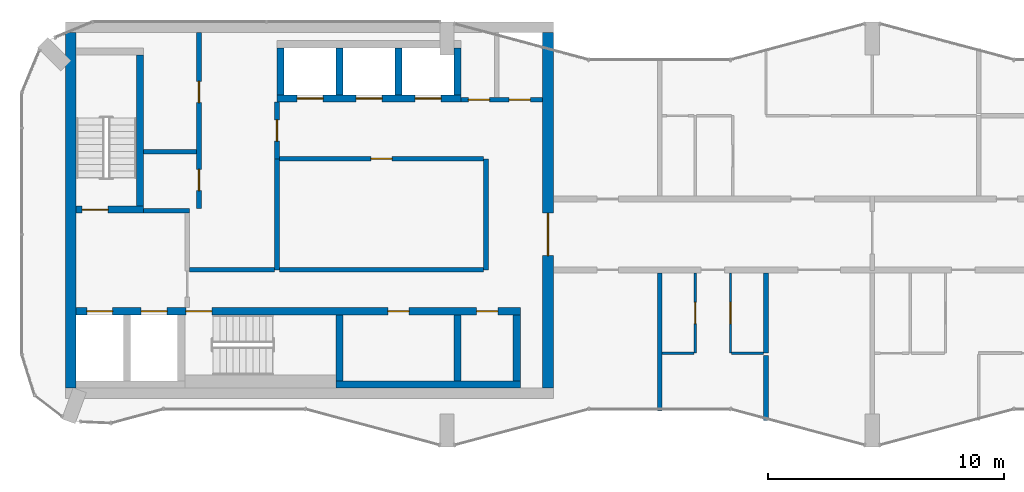
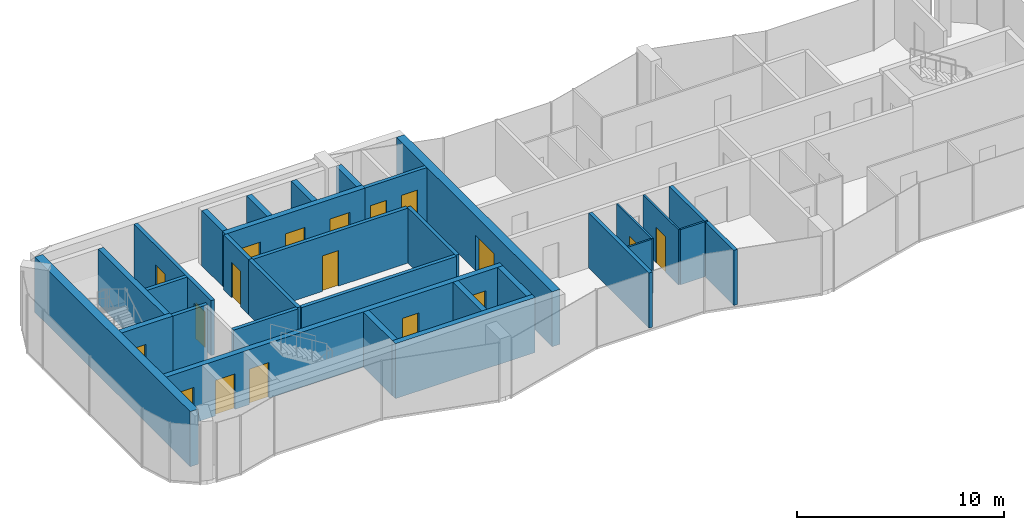
# One storey, part 7 of 10: 31 walls, 18 doors, 18 openings.
"""IFC4 building model written with IfcOpenShell, lengths in metres."""

from ifc_helpers import new_model, si_unit, direction, frame, frame_2d, origin, place, context, subcontext, project, spatial, rectangle, extrude, material, layer, layer_set, type_object, element, fill, save


model = new_model("IFC4")

# Units and contexts
model_context = context("Model", 3, precision=1e-05, world=origin(), true_north=direction((0.0, 1.0)))
body_context = subcontext(model_context, "Body", "Model", "MODEL_VIEW")
ifc_project = project(units=[si_unit("LENGTHUNIT", "METRE"), si_unit("AREAUNIT", "SQUARE_METRE"), si_unit("VOLUMEUNIT", "CUBIC_METRE"), si_unit("PLANEANGLEUNIT", "RADIAN"), si_unit("MASSUNIT", "GRAM", prefix="KILO")], contexts=[model_context])

# Site, building, storey
site_placement = place(None, origin())
site = spatial("IfcSite", under=ifc_project, at=site_placement, CompositionType="ELEMENT")
building_placement = place(site_placement, origin())
building = spatial("IfcBuilding", under=site, at=building_placement, Name="Plateau Cross Towers", CompositionType="ELEMENT")
storey_placement = place(building_placement, frame((0.0, 0.0, 273.89990234375)))
storey = spatial("IfcBuildingStorey", under=building, at=storey_placement, Name="L72", CompositionType="ELEMENT", Elevation=273.89990234375)

# Walls
ifc_material_1 = material(Name="Concrete block, plastered both sides", Category="concrete")
ifc_layer_1 = layer(ifc_material_1, 0.199951171875)
ifc_layer_set_1 = layer_set([ifc_layer_1], Name="Concrete block, plastered both sides")
wall_type_1 = type_object("IfcWallType", Name="Core partition 200", PredefinedType="PARTITIONING", material=ifc_layer_set_1)
wall_1_placement = place(storey_placement, frame((5.14990234375, 10.0, 0.0), z_axis=(0.0, 0.0, 1.0), x_axis=(1.0, 0.0, 0.0)))
element("IfcWall", 1, at=wall_1_placement, inside=storey, type_object=wall_type_1, Name="Core partition", PredefinedType="PARTITIONING", context=body_context, shape_type="SweptSolid", body=[
    extrude(rectangle(XDim=1.9501953125, YDim=0.199951171875, at=frame_2d((0.97509765625, 0.0))), origin(), (0.0, 0.0, 1.0), 3.25),
])
wall_2_placement = place(storey_placement, frame((7.10009765625, 7.5, 0.0), z_axis=(0.0, 0.0, 1.0), x_axis=(1.0, 0.0, 0.0)))
element("IfcWall", 2, at=wall_2_placement, inside=storey, type_object=wall_type_1, Name="Core partition", PredefinedType="PARTITIONING", context=body_context, shape_type="SweptSolid", body=[
    extrude(rectangle(XDim=3.599853515625, YDim=0.199951171875, at=frame_2d((1.7998046875, 0.0))), origin(), (0.0, 0.0, 1.0), 3.25),
])

# Wall, opening, door
wall_3_placement = place(storey_placement, frame((10.800048828125, 12.199951171875, 0.0), z_axis=(0.0, 0.0, 1.0), x_axis=(0.0, 1.0, 0.0)))
wall_3 = element("IfcWall", 3, at=wall_3_placement, inside=storey, type_object=wall_type_1, Name="Core partition", PredefinedType="PARTITIONING", context=body_context, shape_type="SweptSolid", body=[
    extrude(rectangle(XDim=2.400146484375, YDim=0.199951171875, at=frame_2d((1.2001953125, 0.0))), origin(), (0.0, 0.0, 1.0), 3.25),
])
opening_1_placement = place(wall_3_placement, frame((0.75, 0.0, 0.0)))
opening_1 = element("IfcOpeningElement", 4, at=opening_1_placement, cuts=wall_3, Name="Opening RD1", PredefinedType="OPENING", context=body_context, shape_type="SweptSolid", body=[
    extrude(rectangle(XDim=0.89990234375, YDim=2.10009765625, at=frame_2d((0.449951171875, 1.050048828125))), frame((0.0, 0.10986328125, 0.0), z_axis=(0.0, -1.0, 0.0), x_axis=(1.0, 0.0, 0.0)), (0.0, 0.0, 1.0), 0.219970703125),
])
ifc_material_2 = material(Name="Timber, fire-resisting leaf", Category="wood")
door_type_1 = type_object("IfcDoorType", Name="Core service door 900", OperationType="NOTDEFINED", PredefinedType="DOOR", material=ifc_material_2)
door_1_placement = place(opening_1_placement, origin())
door_1 = element("IfcDoor", 5, at=door_1_placement, inside=storey, type_object=door_type_1, Name="Core service door RD1", OperationType="SINGLE_SWING_LEFT", OverallHeight=2.10009765625, OverallWidth=0.89990234375, PredefinedType="DOOR", context=body_context, shape_type="SweptSolid", body=[
    extrude(rectangle(XDim=0.89990234375, YDim=2.10009765625, at=frame_2d((0.449951171875, 1.050048828125))), frame((0.0, 0.02490234375, 0.0), z_axis=(0.0, -1.0, 0.0), x_axis=(1.0, 0.0, 0.0)), (0.0, 0.0, 1.0), 0.050048828125),
])
fill(opening_1, door_1)

# Walls
wall_4_placement = place(storey_placement, frame((10.800048828125, 7.5, 0.0), z_axis=(0.0, 0.0, 1.0), x_axis=(0.0, 1.0, 0.0)))
element("IfcWall", 6, at=wall_4_placement, inside=storey, type_object=wall_type_1, Name="Core partition", PredefinedType="PARTITIONING", context=body_context, shape_type="SweptSolid", body=[
    extrude(rectangle(XDim=4.699951171875, YDim=0.199951171875, at=frame_2d((2.35009765625, 0.0))), origin(), (0.0, 0.0, 1.0), 3.25),
])
wall_5_placement = place(storey_placement, frame((10.89990234375, 7.5, 0.0), z_axis=(0.0, 0.0, 1.0), x_axis=(1.0, 0.0, 0.0)))
element("IfcWall", 7, at=wall_5_placement, inside=storey, type_object=wall_type_1, Name="Core partition", PredefinedType="PARTITIONING", context=body_context, shape_type="SweptSolid", body=[
    extrude(rectangle(XDim=8.650146484375, YDim=0.199951171875, at=frame_2d((4.3251953125, 0.0))), origin(), (0.0, 0.0, 1.0), 3.25),
])
wall_6_placement = place(storey_placement, frame((19.64990234375, 7.5, 0.0), z_axis=(0.0, 0.0, 1.0), x_axis=(0.0, 1.0, 0.0)))
element("IfcWall", 8, at=wall_6_placement, inside=storey, type_object=wall_type_1, Name="Core partition", PredefinedType="PARTITIONING", context=body_context, shape_type="SweptSolid", body=[
    extrude(rectangle(XDim=4.699951171875, YDim=0.199951171875, at=frame_2d((2.35009765625, 0.0))), origin(), (0.0, 0.0, 1.0), 3.25),
])

# Wall, opening, door
wall_7_placement = place(storey_placement, frame((10.89990234375, 12.199951171875, 0.0), z_axis=(0.0, 0.0, 1.0), x_axis=(1.0, 0.0, 0.0)))
wall_7 = element("IfcWall", 9, at=wall_7_placement, inside=storey, type_object=wall_type_1, Name="Core partition", PredefinedType="PARTITIONING", context=body_context, shape_type="SweptSolid", body=[
    extrude(rectangle(XDim=8.650146484375, YDim=0.199951171875, at=frame_2d((4.3251953125, 0.0))), origin(), (0.0, 0.0, 1.0), 3.25),
])
opening_2_placement = place(wall_7_placement, frame((3.875, 0.0, 0.0)))
opening_2 = element("IfcOpeningElement", 10, at=opening_2_placement, cuts=wall_7, Name="Opening RD1", PredefinedType="OPENING", context=body_context, shape_type="SweptSolid", body=[
    extrude(rectangle(XDim=0.89990234375, YDim=2.10009765625, at=frame_2d((0.449951171875, 1.050048828125))), frame((0.0, 0.10986328125, 0.0), z_axis=(0.0, -1.0, 0.0), x_axis=(1.0, 0.0, 0.0)), (0.0, 0.0, 1.0), 0.219970703125),
])
door_2_placement = place(opening_2_placement, origin())
door_2 = element("IfcDoor", 11, at=door_2_placement, inside=storey, type_object=door_type_1, Name="Core service door RD1", OperationType="SINGLE_SWING_LEFT", OverallHeight=2.10009765625, OverallWidth=0.89990234375, PredefinedType="DOOR", context=body_context, shape_type="SweptSolid", body=[
    extrude(rectangle(XDim=0.89990234375, YDim=2.10009765625, at=frame_2d((0.449951171875, 1.050048828125))), frame((0.0, 0.02490234375, 0.0), z_axis=(0.0, -1.0, 0.0), x_axis=(1.0, 0.0, 0.0)), (0.0, 0.0, 1.0), 0.050048828125),
])
fill(opening_2, door_2)

# Wall, openings, doors
wall_8_placement = place(storey_placement, frame((7.5, 10.10009765625, 0.0), z_axis=(0.0, 0.0, 1.0), x_axis=(0.0, 1.0, 0.0)))
wall_8 = element("IfcWall", 12, at=wall_8_placement, inside=storey, type_object=wall_type_1, Name="Core partition", PredefinedType="PARTITIONING", context=body_context, shape_type="SweptSolid", body=[
    extrude(rectangle(XDim=7.449951171875, YDim=0.199951171875, at=frame_2d((3.72509765625, 0.0))), origin(), (0.0, 0.0, 1.0), 3.25),
])
opening_3_placement = place(wall_8_placement, frame((0.75, 0.0, 0.0)))
opening_3 = element("IfcOpeningElement", 13, at=opening_3_placement, cuts=wall_8, Name="Opening RD1", PredefinedType="OPENING", context=body_context, shape_type="SweptSolid", body=[
    extrude(rectangle(XDim=0.89990234375, YDim=2.10009765625, at=frame_2d((0.449951171875, 1.050048828125))), frame((0.0, 0.10986328125, 0.0), z_axis=(0.0, -1.0, 0.0), x_axis=(1.0, 0.0, 0.0)), (0.0, 0.0, 1.0), 0.219970703125),
])
opening_4_placement = place(wall_8_placement, frame((4.47509765625, 0.0, 0.0)))
opening_4 = element("IfcOpeningElement", 14, at=opening_4_placement, cuts=wall_8, Name="Opening RD1", PredefinedType="OPENING", context=body_context, shape_type="SweptSolid", body=[
    extrude(rectangle(XDim=0.89990234375, YDim=2.10009765625, at=frame_2d((0.449951171875, 1.050048828125))), frame((0.0, 0.10986328125, 0.0), z_axis=(0.0, -1.0, 0.0), x_axis=(1.0, 0.0, 0.0)), (0.0, 0.0, 1.0), 0.219970703125),
])
door_3_placement = place(opening_3_placement, origin())
door_3 = element("IfcDoor", 15, at=door_3_placement, inside=storey, type_object=door_type_1, Name="Core service door RD1", OperationType="SINGLE_SWING_RIGHT", OverallHeight=2.10009765625, OverallWidth=0.89990234375, PredefinedType="DOOR", context=body_context, shape_type="SweptSolid", body=[
    extrude(rectangle(XDim=0.89990234375, YDim=2.10009765625, at=frame_2d((0.449951171875, 1.050048828125))), frame((0.0, 0.02490234375, 0.0), z_axis=(0.0, -1.0, 0.0), x_axis=(1.0, 0.0, 0.0)), (0.0, 0.0, 1.0), 0.050048828125),
])
fill(opening_3, door_3)
door_4_placement = place(opening_4_placement, origin())
door_4 = element("IfcDoor", 16, at=door_4_placement, inside=storey, type_object=door_type_1, Name="Core service door RD1", OperationType="SINGLE_SWING_RIGHT", OverallHeight=2.10009765625, OverallWidth=0.89990234375, PredefinedType="DOOR", context=body_context, shape_type="SweptSolid", body=[
    extrude(rectangle(XDim=0.89990234375, YDim=2.10009765625, at=frame_2d((0.449951171875, 1.050048828125))), frame((0.0, 0.02490234375, 0.0), z_axis=(0.0, -1.0, 0.0), x_axis=(1.0, 0.0, 0.0)), (0.0, 0.0, 1.0), 0.050048828125),
])
fill(opening_4, door_4)

# Wall
wall_9_placement = place(storey_placement, frame((5.14990234375, 12.5, 0.0), z_axis=(0.0, 0.0, 1.0), x_axis=(1.0, 0.0, 0.0)))
element("IfcWall", 17, at=wall_9_placement, inside=storey, type_object=wall_type_1, Name="Core partition", PredefinedType="PARTITIONING", context=body_context, shape_type="SweptSolid", body=[
    extrude(rectangle(XDim=2.25, YDim=0.199951171875, at=frame_2d((1.125, 0.0))), origin(), (0.0, 0.0, 1.0), 3.25),
])

# Wall, openings, doors
wall_10_placement = place(storey_placement, frame((18.60009765625, 14.699951171875, 0.0), z_axis=(0.0, 0.0, 1.0), x_axis=(1.0, 0.0, 0.0)))
wall_10 = element("IfcWall", 18, at=wall_10_placement, inside=storey, type_object=wall_type_1, Name="Core partition", PredefinedType="PARTITIONING", context=body_context, shape_type="SweptSolid", body=[
    extrude(rectangle(XDim=3.449951171875, YDim=0.199951171875, at=frame_2d((1.72509765625, 0.0))), origin(), (0.0, 0.0, 1.0), 3.25),
])
opening_5_placement = place(wall_10_placement, frame((0.300048828125, 0.0, 0.0)))
opening_5 = element("IfcOpeningElement", 19, at=opening_5_placement, cuts=wall_10, Name="Opening RD2", PredefinedType="OPENING", context=body_context, shape_type="SweptSolid", body=[
    extrude(rectangle(XDim=0.89990234375, YDim=2.10009765625, at=frame_2d((0.449951171875, 1.050048828125))), frame((0.0, 0.10986328125, 0.0), z_axis=(0.0, -1.0, 0.0), x_axis=(1.0, 0.0, 0.0)), (0.0, 0.0, 1.0), 0.219970703125),
])
opening_6_placement = place(wall_10_placement, frame((2.02490234375, 0.0, 0.0)))
opening_6 = element("IfcOpeningElement", 20, at=opening_6_placement, cuts=wall_10, Name="Opening RD2", PredefinedType="OPENING", context=body_context, shape_type="SweptSolid", body=[
    extrude(rectangle(XDim=0.89990234375, YDim=2.10009765625, at=frame_2d((0.449951171875, 1.050048828125))), frame((0.0, 0.10986328125, 0.0), z_axis=(0.0, -1.0, 0.0), x_axis=(1.0, 0.0, 0.0)), (0.0, 0.0, 1.0), 0.219970703125),
])
ifc_material_3 = material(Name="Steel, fire-resisting leaf", Category="steel")
door_type_2 = type_object("IfcDoorType", Name="Core riser door 900", OperationType="NOTDEFINED", PredefinedType="DOOR", material=ifc_material_3)
door_5_placement = place(opening_5_placement, origin())
door_5 = element("IfcDoor", 21, at=door_5_placement, inside=storey, type_object=door_type_2, Name="Core riser door RD2", OperationType="SINGLE_SWING_LEFT", OverallHeight=2.10009765625, OverallWidth=0.89990234375, PredefinedType="DOOR", context=body_context, shape_type="SweptSolid", body=[
    extrude(rectangle(XDim=0.89990234375, YDim=2.10009765625, at=frame_2d((0.449951171875, 1.050048828125))), frame((0.0, 0.02490234375, 0.0), z_axis=(0.0, -1.0, 0.0), x_axis=(1.0, 0.0, 0.0)), (0.0, 0.0, 1.0), 0.050048828125),
])
fill(opening_5, door_5)
door_6_placement = place(opening_6_placement, origin())
door_6 = element("IfcDoor", 22, at=door_6_placement, inside=storey, type_object=door_type_2, Name="Core riser door RD2", OperationType="SINGLE_SWING_LEFT", OverallHeight=2.10009765625, OverallWidth=0.89990234375, PredefinedType="DOOR", context=body_context, shape_type="SweptSolid", body=[
    extrude(rectangle(XDim=0.89990234375, YDim=2.10009765625, at=frame_2d((0.449951171875, 1.050048828125))), frame((0.0, 0.02490234375, 0.0), z_axis=(0.0, -1.0, 0.0), x_axis=(1.0, 0.0, 0.0)), (0.0, 0.0, 1.0), 0.050048828125),
])
fill(opening_6, door_6)

# Walls
ifc_material_4 = material(Name="Concrete C60/75", Category="concrete")
ifc_layer_2 = layer(ifc_material_4, 0.300048828125)
ifc_layer_set_2 = layer_set([ifc_layer_2], Name="Concrete C60/75")
wall_type_2 = type_object("IfcWallType", Name="Core shaft wall 300", PredefinedType="SHEAR", material=ifc_layer_set_2)
wall_11_placement = place(storey_placement, frame((13.300048828125, 2.64990234375, 0.0), z_axis=(0.0, 0.0, 1.0), x_axis=(1.0, 0.0, 0.0)))
element("IfcWall", 23, at=wall_11_placement, inside=storey, type_object=wall_type_2, Name="A-sb-back3@L72", PredefinedType="SHEAR", context=body_context, shape_type="SweptSolid", body=[
    extrude(rectangle(XDim=7.800048828125, YDim=0.300048828125, at=frame_2d((3.89990234375, 0.0))), origin(), (0.0, 0.0, 1.0), 3.25),
])
for number, where, z_axis, x_axis, name in (
    (24, (13.449951171875, 2.800048828125, 0.0), (0.0, 0.0, 1.0), (0.0, 1.0, 0.0), "A-sb-v3@L72"),
    (25, (18.449951171875, 2.800048828125, 0.0), (0.0, 0.0, 1.0), (0.0, 1.0, 0.0), "A-sb-v5@L72"),
    (26, (20.949951171875, 2.800048828125, 0.0), (0.0, 0.0, 1.0), (0.0, 1.0, 0.0), "A-sb-v6@L72"),
):
    element("IfcWall", number, at=place(storey_placement, frame(where, z_axis=z_axis, x_axis=x_axis)), inside=storey, type_object=wall_type_2, Name=name, PredefinedType="SHEAR", context=body_context, shape_type="SweptSolid", body=[
        extrude(rectangle(XDim=2.800048828125, YDim=0.300048828125, at=frame_2d((1.39990234375, 0.0))), origin(), (0.0, 0.0, 1.0), 3.25),
    ])

# Wall, openings, doors
wall_12_placement = place(storey_placement, frame((2.300048828125, 5.75, 0.0), z_axis=(0.0, 0.0, 1.0), x_axis=(1.0, 0.0, 0.0)))
wall_12 = element("IfcWall", 27, at=wall_12_placement, inside=storey, type_object=wall_type_2, Name="A-sb-front@L72", PredefinedType="SHEAR", context=body_context, shape_type="SweptSolid", body=[
    extrude(rectangle(XDim=18.800048828125, YDim=0.300048828125, at=frame_2d((9.39990234375, 0.0))), origin(), (0.0, 0.0, 1.0), 3.25),
])
opening_7_placement = place(wall_12_placement, frame((4.64990234375, 0.0, 0.0)))
opening_7 = element("IfcOpeningElement", 28, at=opening_7_placement, cuts=wall_12, Name="Opening SD", PredefinedType="OPENING", context=body_context, shape_type="SweptSolid", body=[
    extrude(rectangle(XDim=1.10009765625, YDim=2.10009765625, at=frame_2d((0.550048828125, 1.050048828125))), frame((0.0, 0.159912109375, 0.0), z_axis=(0.0, -1.0, 0.0), x_axis=(1.0, 0.0, 0.0)), (0.0, 0.0, 1.0), 0.320068359375),
])
opening_8_placement = place(wall_12_placement, frame((0.449951171875, 0.0, 0.0)))
opening_8 = element("IfcOpeningElement", 29, at=opening_8_placement, cuts=wall_12, Name="Opening LD", PredefinedType="OPENING", context=body_context, shape_type="SweptSolid", body=[
    extrude(rectangle(XDim=1.10009765625, YDim=2.10009765625, at=frame_2d((0.550048828125, 1.050048828125))), frame((0.0, 0.159912109375, 0.0), z_axis=(0.0, -1.0, 0.0), x_axis=(1.0, 0.0, 0.0)), (0.0, 0.0, 1.0), 0.320068359375),
])
opening_9_placement = place(wall_12_placement, frame((2.75, 0.0, 0.0)))
opening_9 = element("IfcOpeningElement", 30, at=opening_9_placement, cuts=wall_12, Name="Opening LD", PredefinedType="OPENING", context=body_context, shape_type="SweptSolid", body=[
    extrude(rectangle(XDim=1.10009765625, YDim=2.10009765625, at=frame_2d((0.550048828125, 1.050048828125))), frame((0.0, 0.159912109375, 0.0), z_axis=(0.0, -1.0, 0.0), x_axis=(1.0, 0.0, 0.0)), (0.0, 0.0, 1.0), 0.320068359375),
])
opening_10_placement = place(wall_12_placement, frame((13.199951171875, 0.0, 0.0)))
opening_10 = element("IfcOpeningElement", 31, at=opening_10_placement, cuts=wall_12, Name="Opening RD2", PredefinedType="OPENING", context=body_context, shape_type="SweptSolid", body=[
    extrude(rectangle(XDim=0.89990234375, YDim=2.10009765625, at=frame_2d((0.449951171875, 1.050048828125))), frame((0.0, 0.159912109375, 0.0), z_axis=(0.0, -1.0, 0.0), x_axis=(1.0, 0.0, 0.0)), (0.0, 0.0, 1.0), 0.320068359375),
])
opening_11_placement = place(wall_12_placement, frame((16.949951171875, 0.0, 0.0)))
opening_11 = element("IfcOpeningElement", 32, at=opening_11_placement, cuts=wall_12, Name="Opening RD2", PredefinedType="OPENING", context=body_context, shape_type="SweptSolid", body=[
    extrude(rectangle(XDim=0.89990234375, YDim=2.10009765625, at=frame_2d((0.449951171875, 1.050048828125))), frame((0.0, 0.159912109375, 0.0), z_axis=(0.0, -1.0, 0.0), x_axis=(1.0, 0.0, 0.0)), (0.0, 0.0, 1.0), 0.320068359375),
])
door_7_placement = place(opening_10_placement, origin())
door_7 = element("IfcDoor", 33, at=door_7_placement, inside=storey, type_object=door_type_2, Name="Core riser door RD2", OperationType="SINGLE_SWING_LEFT", OverallHeight=2.10009765625, OverallWidth=0.89990234375, PredefinedType="DOOR", context=body_context, shape_type="SweptSolid", body=[
    extrude(rectangle(XDim=0.89990234375, YDim=2.10009765625, at=frame_2d((0.449951171875, 1.050048828125))), frame((0.0, 0.02490234375, 0.0), z_axis=(0.0, -1.0, 0.0), x_axis=(1.0, 0.0, 0.0)), (0.0, 0.0, 1.0), 0.050048828125),
])
fill(opening_10, door_7)
door_8_placement = place(opening_11_placement, origin())
door_8 = element("IfcDoor", 34, at=door_8_placement, inside=storey, type_object=door_type_2, Name="Core riser door RD2", OperationType="SINGLE_SWING_LEFT", OverallHeight=2.10009765625, OverallWidth=0.89990234375, PredefinedType="DOOR", context=body_context, shape_type="SweptSolid", body=[
    extrude(rectangle(XDim=0.89990234375, YDim=2.10009765625, at=frame_2d((0.449951171875, 1.050048828125))), frame((0.0, 0.02490234375, 0.0), z_axis=(0.0, -1.0, 0.0), x_axis=(1.0, 0.0, 0.0)), (0.0, 0.0, 1.0), 0.050048828125),
])
fill(opening_11, door_8)
ifc_material_5 = material(Name="Stainless steel, fire-resisting sliding leaves", Category="steel")
door_type_3 = type_object("IfcDoorType", Name="Lift landing door 1100", OperationType="NOTDEFINED", PredefinedType="DOOR", material=ifc_material_5)
door_9_placement = place(opening_8_placement, origin())
door_9 = element("IfcDoor", 35, at=door_9_placement, inside=storey, type_object=door_type_3, Name="Lift landing door LD", OperationType="DOUBLE_DOOR_SLIDING", OverallHeight=2.10009765625, OverallWidth=1.10009765625, PredefinedType="DOOR", context=body_context, shape_type="SweptSolid", body=[
    extrude(rectangle(XDim=1.10009765625, YDim=2.10009765625, at=frame_2d((0.550048828125, 1.050048828125))), frame((0.0, 0.02490234375, 0.0), z_axis=(0.0, -1.0, 0.0), x_axis=(1.0, 0.0, 0.0)), (0.0, 0.0, 1.0), 0.050048828125),
])
fill(opening_8, door_9)
door_10_placement = place(opening_9_placement, origin())
door_10 = element("IfcDoor", 36, at=door_10_placement, inside=storey, type_object=door_type_3, Name="Lift landing door LD", OperationType="DOUBLE_DOOR_SLIDING", OverallHeight=2.10009765625, OverallWidth=1.10009765625, PredefinedType="DOOR", context=body_context, shape_type="SweptSolid", body=[
    extrude(rectangle(XDim=1.10009765625, YDim=2.10009765625, at=frame_2d((0.550048828125, 1.050048828125))), frame((0.0, 0.02490234375, 0.0), z_axis=(0.0, -1.0, 0.0), x_axis=(1.0, 0.0, 0.0)), (0.0, 0.0, 1.0), 0.050048828125),
])
fill(opening_9, door_10)
door_type_4 = type_object("IfcDoorType", Name="Stair door 1100", OperationType="NOTDEFINED", PredefinedType="DOOR", material=ifc_material_3)
door_11_placement = place(opening_7_placement, origin())
door_11 = element("IfcDoor", 37, at=door_11_placement, inside=storey, type_object=door_type_4, Name="Stair door SD", OperationType="SINGLE_SWING_LEFT", OverallHeight=2.10009765625, OverallWidth=1.10009765625, PredefinedType="DOOR", context=body_context, shape_type="SweptSolid", body=[
    extrude(rectangle(XDim=1.10009765625, YDim=2.10009765625, at=frame_2d((0.550048828125, 1.050048828125))), frame((0.0, 0.02490234375, 0.0), z_axis=(0.0, -1.0, 0.0), x_axis=(1.0, 0.0, 0.0)), (0.0, 0.0, 1.0), 0.050048828125),
])
fill(opening_7, door_11)

# Wall, opening, door
wall_13_placement = place(storey_placement, frame((2.300048828125, 10.050048828125, 0.0), z_axis=(0.0, 0.0, 1.0), x_axis=(1.0, 0.0, 0.0)))
wall_13 = element("IfcWall", 38, at=wall_13_placement, inside=storey, type_object=wall_type_2, Name="A-st1-S@L72", PredefinedType="SHEAR", context=body_context, shape_type="SweptSolid", body=[
    extrude(rectangle(XDim=2.849853515625, YDim=0.300048828125, at=frame_2d((1.4248046875, 0.0))), origin(), (0.0, 0.0, 1.0), 3.25),
])
opening_12_placement = place(wall_13_placement, frame((0.25, 0.0, 0.0)))
opening_12 = element("IfcOpeningElement", 39, at=opening_12_placement, cuts=wall_13, Name="Opening SD", PredefinedType="OPENING", context=body_context, shape_type="SweptSolid", body=[
    extrude(rectangle(XDim=1.10009765625, YDim=2.10009765625, at=frame_2d((0.550048828125, 1.050048828125))), frame((0.0, 0.159912109375, 0.0), z_axis=(0.0, -1.0, 0.0), x_axis=(1.0, 0.0, 0.0)), (0.0, 0.0, 1.0), 0.320068359375),
])
door_12_placement = place(opening_12_placement, origin())
door_12 = element("IfcDoor", 40, at=door_12_placement, inside=storey, type_object=door_type_4, Name="Stair door SD", OperationType="SINGLE_SWING_RIGHT", OverallHeight=2.10009765625, OverallWidth=1.10009765625, PredefinedType="DOOR", context=body_context, shape_type="SweptSolid", body=[
    extrude(rectangle(XDim=1.10009765625, YDim=2.10009765625, at=frame_2d((0.550048828125, 1.050048828125))), frame((0.0, 0.02490234375, 0.0), z_axis=(0.0, -1.0, 0.0), x_axis=(1.0, 0.0, 0.0)), (0.0, 0.0, 1.0), 0.050048828125),
])
fill(opening_12, door_12)

# Wall
wall_14_placement = place(storey_placement, frame((5.0, 10.199951171875, 0.0), z_axis=(0.0, 0.0, 1.0), x_axis=(0.0, 1.0, 0.0)))
element("IfcWall", 41, at=wall_14_placement, inside=storey, type_object=wall_type_2, Name="A-st1-E@L72", PredefinedType="SHEAR", context=body_context, shape_type="SweptSolid", body=[
    extrude(rectangle(XDim=6.400146484375, YDim=0.300048828125, at=frame_2d((3.2001953125, 0.0))), origin(), (0.0, 0.0, 1.0), 3.25),
])

# Wall, openings, doors
wall_15_placement = place(storey_placement, frame((10.800048828125, 14.75, 0.0), z_axis=(0.0, 0.0, 1.0), x_axis=(1.0, 0.0, 0.0)))
wall_15 = element("IfcWall", 42, at=wall_15_placement, inside=storey, type_object=wall_type_2, Name="A-nb-front@L72", PredefinedType="SHEAR", context=body_context, shape_type="SweptSolid", body=[
    extrude(rectangle(XDim=7.800048828125, YDim=0.300048828125, at=frame_2d((3.89990234375, 0.0))), origin(), (0.0, 0.0, 1.0), 3.25),
])
opening_13_placement = place(wall_15_placement, frame((0.85009765625, 0.0, 0.0)))
opening_13 = element("IfcOpeningElement", 43, at=opening_13_placement, cuts=wall_15, Name="Opening LD", PredefinedType="OPENING", context=body_context, shape_type="SweptSolid", body=[
    extrude(rectangle(XDim=1.10009765625, YDim=2.10009765625, at=frame_2d((0.550048828125, 1.050048828125))), frame((0.0, 0.159912109375, 0.0), z_axis=(0.0, -1.0, 0.0), x_axis=(1.0, 0.0, 0.0)), (0.0, 0.0, 1.0), 0.320068359375),
])
opening_14_placement = place(wall_15_placement, frame((3.35009765625, 0.0, 0.0)))
opening_14 = element("IfcOpeningElement", 44, at=opening_14_placement, cuts=wall_15, Name="Opening LD", PredefinedType="OPENING", context=body_context, shape_type="SweptSolid", body=[
    extrude(rectangle(XDim=1.10009765625, YDim=2.10009765625, at=frame_2d((0.550048828125, 1.050048828125))), frame((0.0, 0.159912109375, 0.0), z_axis=(0.0, -1.0, 0.0), x_axis=(1.0, 0.0, 0.0)), (0.0, 0.0, 1.0), 0.320068359375),
])
opening_15_placement = place(wall_15_placement, frame((5.85009765625, 0.0, 0.0)))
opening_15 = element("IfcOpeningElement", 45, at=opening_15_placement, cuts=wall_15, Name="Opening LD", PredefinedType="OPENING", context=body_context, shape_type="SweptSolid", body=[
    extrude(rectangle(XDim=1.10009765625, YDim=2.10009765625, at=frame_2d((0.550048828125, 1.050048828125))), frame((0.0, 0.159912109375, 0.0), z_axis=(0.0, -1.0, 0.0), x_axis=(1.0, 0.0, 0.0)), (0.0, 0.0, 1.0), 0.320068359375),
])
door_13_placement = place(opening_13_placement, origin())
door_13 = element("IfcDoor", 46, at=door_13_placement, inside=storey, type_object=door_type_3, Name="Lift landing door LD", OperationType="DOUBLE_DOOR_SLIDING", OverallHeight=2.10009765625, OverallWidth=1.10009765625, PredefinedType="DOOR", context=body_context, shape_type="SweptSolid", body=[
    extrude(rectangle(XDim=1.10009765625, YDim=2.10009765625, at=frame_2d((0.550048828125, 1.050048828125))), frame((0.0, 0.02490234375, 0.0), z_axis=(0.0, -1.0, 0.0), x_axis=(1.0, 0.0, 0.0)), (0.0, 0.0, 1.0), 0.050048828125),
])
fill(opening_13, door_13)
door_14_placement = place(opening_14_placement, origin())
door_14 = element("IfcDoor", 47, at=door_14_placement, inside=storey, type_object=door_type_3, Name="Lift landing door LD", OperationType="DOUBLE_DOOR_SLIDING", OverallHeight=2.10009765625, OverallWidth=1.10009765625, PredefinedType="DOOR", context=body_context, shape_type="SweptSolid", body=[
    extrude(rectangle(XDim=1.10009765625, YDim=2.10009765625, at=frame_2d((0.550048828125, 1.050048828125))), frame((0.0, 0.02490234375, 0.0), z_axis=(0.0, -1.0, 0.0), x_axis=(1.0, 0.0, 0.0)), (0.0, 0.0, 1.0), 0.050048828125),
])
fill(opening_14, door_14)
door_15_placement = place(opening_15_placement, origin())
door_15 = element("IfcDoor", 48, at=door_15_placement, inside=storey, type_object=door_type_3, Name="Lift landing door LD", OperationType="DOUBLE_DOOR_SLIDING", OverallHeight=2.10009765625, OverallWidth=1.10009765625, PredefinedType="DOOR", context=body_context, shape_type="SweptSolid", body=[
    extrude(rectangle(XDim=1.10009765625, YDim=2.10009765625, at=frame_2d((0.550048828125, 1.050048828125))), frame((0.0, 0.02490234375, 0.0), z_axis=(0.0, -1.0, 0.0), x_axis=(1.0, 0.0, 0.0)), (0.0, 0.0, 1.0), 0.050048828125),
])
fill(opening_15, door_15)

# Walls
for number, where, z_axis, x_axis, name in (
    (49, (10.949951171875, 14.89990234375, 0.0), (0.0, 0.0, 1.0), (0.0, 1.0, 0.0), "A-nb-v1@L72"),
    (50, (13.449951171875, 14.89990234375, 0.0), (0.0, 0.0, 1.0), (0.0, 1.0, 0.0), "A-nb-v2@L72"),
    (51, (15.949951171875, 14.89990234375, 0.0), (0.0, 0.0, 1.0), (0.0, 1.0, 0.0), "A-nb-v3@L72"),
    (52, (18.449951171875, 14.89990234375, 0.0), (0.0, 0.0, 1.0), (0.0, 1.0, 0.0), "A-nb-v4@L72"),
):
    element("IfcWall", number, at=place(storey_placement, frame(where, z_axis=z_axis, x_axis=x_axis)), inside=storey, type_object=wall_type_2, Name=name, PredefinedType="SHEAR", context=body_context, shape_type="SweptSolid", body=[
        extrude(rectangle(XDim=2.0, YDim=0.300048828125, at=frame_2d((1.0, 0.0))), origin(), (0.0, 0.0, 1.0), 3.25),
    ])
ifc_layer_3 = layer(ifc_material_4, 0.449951171875)
ifc_layer_set_3 = layer_set([ifc_layer_3], Name="Concrete C60/75")
wall_type_3 = type_object("IfcWallType", Name="Core shell wall 450", PredefinedType="SHEAR", material=ifc_layer_set_3)
wall_16_placement = place(storey_placement, frame((2.074951171875, 2.5, 0.0), z_axis=(0.0, 0.0, 1.0), x_axis=(0.0, 1.0, 0.0)))
element("IfcWall", 53, at=wall_16_placement, inside=storey, type_object=wall_type_3, Name="A-core-W@L72", PredefinedType="SHEAR", context=body_context, shape_type="SweptSolid", body=[
    extrude(rectangle(XDim=15.050048828125, YDim=0.449951171875, at=frame_2d((7.52490234375, 0.0))), origin(), (0.0, 0.0, 1.0), 3.25),
])

# Wall, opening, door
wall_17_placement = place(storey_placement, frame((22.27490234375, 2.5, 0.0), z_axis=(0.0, 0.0, 1.0), x_axis=(0.0, 1.0, 0.0)))
wall_17 = element("IfcWall", 54, at=wall_17_placement, inside=storey, type_object=wall_type_3, Name="A-core-E@L72", PredefinedType="SHEAR", context=body_context, shape_type="SweptSolid", body=[
    extrude(rectangle(XDim=15.050048828125, YDim=0.449951171875, at=frame_2d((7.52490234375, 0.0))), origin(), (0.0, 0.0, 1.0), 3.25),
])
opening_16_placement = place(wall_17_placement, frame((5.60009765625, 0.0, 0.0)))
opening_16 = element("IfcOpeningElement", 55, at=opening_16_placement, cuts=wall_17, Name="Opening CD", PredefinedType="OPENING", context=body_context, shape_type="SweptSolid", body=[
    extrude(rectangle(XDim=1.800048828125, YDim=2.10009765625, at=frame_2d((0.89990234375, 1.050048828125))), frame((0.0, 0.23486328125, 0.0), z_axis=(0.0, -1.0, 0.0), x_axis=(1.0, 0.0, 0.0)), (0.0, 0.0, 1.0), 0.469970703125),
])
ifc_material_6 = material(Name="Steel, fire-resisting leaves", Category="steel")
door_type_5 = type_object("IfcDoorType", Name="Corridor door pair 1800", OperationType="NOTDEFINED", PredefinedType="DOOR", material=ifc_material_6)
door_16_placement = place(opening_16_placement, origin())
door_16 = element("IfcDoor", 56, at=door_16_placement, inside=storey, type_object=door_type_5, Name="Corridor door pair CD", OperationType="DOUBLE_DOOR_SINGLE_SWING", OverallHeight=2.10009765625, OverallWidth=1.800048828125, PredefinedType="DOOR", context=body_context, shape_type="SweptSolid", body=[
    extrude(rectangle(XDim=1.800048828125, YDim=2.10009765625, at=frame_2d((0.89990234375, 1.050048828125))), frame((0.0, 0.02490234375, 0.0), z_axis=(0.0, -1.0, 0.0), x_axis=(1.0, 0.0, 0.0)), (0.0, 0.0, 1.0), 0.050048828125),
])
fill(opening_16, door_16)

# Walls
ifc_material_7 = material(Name="Gypsum board on steel studs", Category="steel")
ifc_layer_4 = layer(ifc_material_7, 0.10009765625)
ifc_layer_set_4 = layer_set([ifc_layer_4], Name="Gypsum board on steel studs")
wall_type_4 = type_object("IfcWallType", Name="Flat partition 100", PredefinedType="PARTITIONING", material=ifc_layer_set_4)
for number, where, z_axis, x_axis, name in (
    (57, (27.10009765625, 3.97509765625, 0.0), (0.0, 0.0, 1.0), (1.0, 0.0, 0.0), "Partition wall"),
    (58, (30.050048828125, 3.97509765625, 0.0), (0.0, 0.0, 1.0), (1.0, 0.0, 0.0), "Partition wall"),
):
    element("IfcWall", number, at=place(storey_placement, frame(where, z_axis=z_axis, x_axis=x_axis)), inside=storey, type_object=wall_type_4, Name=name, PredefinedType="PARTITIONING", context=body_context, shape_type="SweptSolid", body=[
        extrude(rectangle(XDim=1.349853515625, YDim=0.10009765625, at=frame_2d((0.6748046875, 0.0))), origin(), (0.0, 0.0, 1.0), 3.25),
    ])

# Wall, opening, door
wall_18_placement = place(storey_placement, frame((28.5, 3.97509765625, 0.0), z_axis=(0.0, 0.0, 1.0), x_axis=(0.0, 1.0, 0.0)))
wall_18 = element("IfcWall", 59, at=wall_18_placement, inside=storey, type_object=wall_type_4, Name="Partition wall", PredefinedType="PARTITIONING", context=body_context, shape_type="SweptSolid", body=[
    extrude(rectangle(XDim=3.39990234375, YDim=0.10009765625, at=frame_2d((1.699951171875, 0.0))), origin(), (0.0, 0.0, 1.0), 3.25),
])
opening_17_placement = place(wall_18_placement, frame((1.25, 0.0, 0.0)))
opening_17 = element("IfcOpeningElement", 60, at=opening_17_placement, cuts=wall_18, Name="Opening 72-11", PredefinedType="OPENING", context=body_context, shape_type="SweptSolid", body=[
    extrude(rectangle(XDim=0.89990234375, YDim=2.10009765625, at=frame_2d((0.449951171875, 1.050048828125))), frame((0.0, 0.06005859375, 0.0), z_axis=(0.0, -1.0, 0.0), x_axis=(1.0, 0.0, 0.0)), (0.0, 0.0, 1.0), 0.1201171875),
])
ifc_material_8 = material(Name="Timber leaf", Category="wood")
door_type_6 = type_object("IfcDoorType", Name="Flat room door 900", OperationType="NOTDEFINED", PredefinedType="DOOR", material=ifc_material_8)
door_17_placement = place(opening_17_placement, origin())
door_17 = element("IfcDoor", 61, at=door_17_placement, inside=storey, type_object=door_type_6, Name="Door 72-11", OperationType="SINGLE_SWING_LEFT", OverallHeight=2.10009765625, OverallWidth=0.89990234375, PredefinedType="DOOR", context=body_context, shape_type="SweptSolid", body=[
    extrude(rectangle(XDim=0.89990234375, YDim=2.10009765625, at=frame_2d((0.449951171875, 1.050048828125))), frame((0.0, 0.02490234375, 0.0), z_axis=(0.0, -1.0, 0.0), x_axis=(1.0, 0.0, 0.0)), (0.0, 0.0, 1.0), 0.050048828125),
])
fill(opening_17, door_17)

wall_19_placement = place(storey_placement, frame((30.0, 7.375, 0.0), z_axis=(0.0, 0.0, 1.0), x_axis=(0.0, -1.0, 0.0)))
wall_19 = element("IfcWall", 62, at=wall_19_placement, inside=storey, type_object=wall_type_4, Name="Partition wall", PredefinedType="PARTITIONING", context=body_context, shape_type="SweptSolid", body=[
    extrude(rectangle(XDim=3.39990234375, YDim=0.10009765625, at=frame_2d((1.699951171875, 0.0))), origin(), (0.0, 0.0, 1.0), 3.25),
])
opening_18_placement = place(wall_19_placement, frame((1.25, 0.0, 0.0)))
opening_18 = element("IfcOpeningElement", 63, at=opening_18_placement, cuts=wall_19, Name="Opening 72-12", PredefinedType="OPENING", context=body_context, shape_type="SweptSolid", body=[
    extrude(rectangle(XDim=0.89990234375, YDim=2.10009765625, at=frame_2d((0.449951171875, 1.050048828125))), frame((0.0, 0.06005859375, 0.0), z_axis=(0.0, -1.0, 0.0), x_axis=(1.0, 0.0, 0.0)), (0.0, 0.0, 1.0), 0.1201171875),
])
door_18_placement = place(opening_18_placement, origin())
door_18 = element("IfcDoor", 64, at=door_18_placement, inside=storey, type_object=door_type_6, Name="Door 72-12", OperationType="SINGLE_SWING_LEFT", OverallHeight=2.10009765625, OverallWidth=0.89990234375, PredefinedType="DOOR", context=body_context, shape_type="SweptSolid", body=[
    extrude(rectangle(XDim=0.89990234375, YDim=2.10009765625, at=frame_2d((0.449951171875, 1.050048828125))), frame((0.0, 0.02490234375, 0.0), z_axis=(0.0, -1.0, 0.0), x_axis=(1.0, 0.0, 0.0)), (0.0, 0.0, 1.0), 0.050048828125),
])
fill(opening_18, door_18)

# Walls
ifc_material_9 = material(Name="Gypsum board on steel studs, two layers each side", Category="steel")
ifc_layer_5 = layer(ifc_material_9, 0.199951171875)
ifc_layer_set_5 = layer_set([ifc_layer_5], Name="Gypsum board on steel studs, two layers each side")
wall_type_5 = type_object("IfcWallType", Name="Flat party wall 200", PredefinedType="PARTITIONING", material=ifc_layer_set_5)
wall_20_placement = place(storey_placement, frame((27.0, 1.52685546875, 0.0), z_axis=(0.0, 0.0, 1.0), x_axis=(0.0, 1.0, 0.0)))
element("IfcWall", 65, at=wall_20_placement, inside=storey, type_object=wall_type_5, Name="Party wall", PredefinedType="PARTITIONING", context=body_context, shape_type="SweptSolid", body=[
    extrude(rectangle(XDim=5.84814453125, YDim=0.199951171875, at=frame_2d((2.924072265625, 0.0))), origin(), (0.0, 0.0, 1.0), 3.25),
])
wall_21_placement = place(storey_placement, frame((31.5, 3.875, 0.0), z_axis=(0.0, 0.0, 1.0), x_axis=(0.0, -1.0, 0.0)))
element("IfcWall", 66, at=wall_21_placement, inside=storey, type_object=wall_type_5, Name="Party wall", PredefinedType="PARTITIONING", context=body_context, shape_type="SweptSolid", body=[
    extrude(rectangle(XDim=2.752685546875, YDim=0.199951171875, at=frame_2d((1.37646484375, 0.0))), origin(), (0.0, 0.0, 1.0), 3.25),
])
wall_22_placement = place(storey_placement, frame((31.5, 3.97509765625, 0.0), z_axis=(0.0, 0.0, 1.0), x_axis=(0.0, 1.0, 0.0)))
element("IfcWall", 67, at=wall_22_placement, inside=storey, type_object=wall_type_5, Name="Party wall", PredefinedType="PARTITIONING", context=body_context, shape_type="SweptSolid", body=[
    extrude(rectangle(XDim=3.39990234375, YDim=0.199951171875, at=frame_2d((1.699951171875, 0.0))), origin(), (0.0, 0.0, 1.0), 3.25),
])

save(model, "model.ifc")
